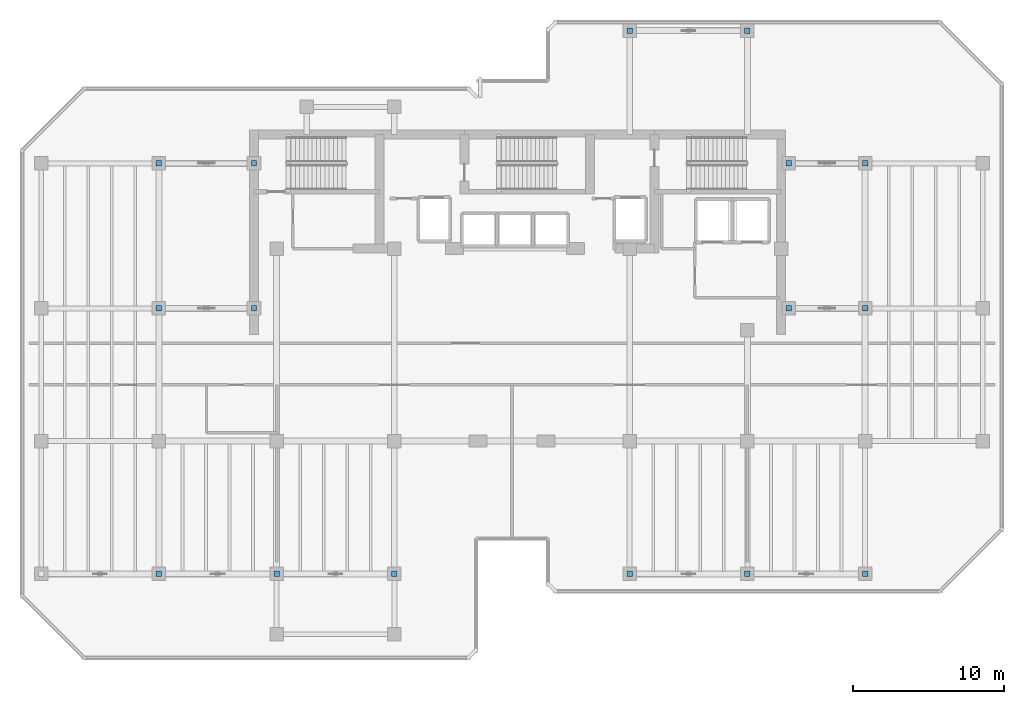
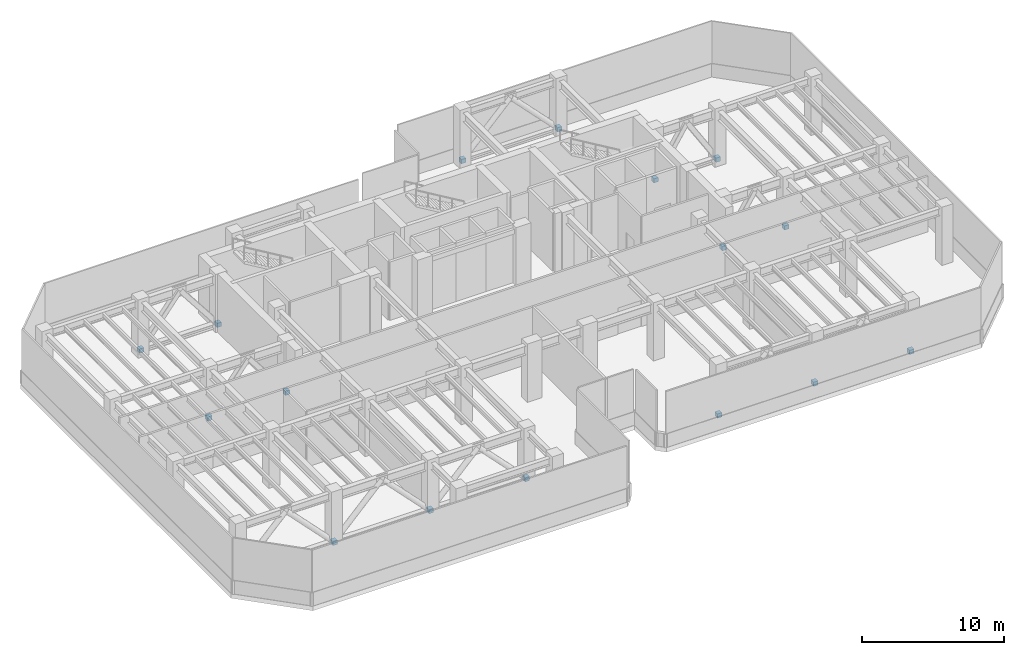
# One storey, part 5 of 9: 16 discrete accessories.
"""IFC4 building model written with IfcOpenShell, lengths in metres."""

from ifc_helpers import new_model, si_unit, direction, frame, origin, origin_2d, place, context, subcontext, project, spatial, rectangle, extrude, material, type_object, element, save


model = new_model("IFC4")

# Units and contexts
model_context = context("Model", 3, precision=1e-05, world=origin(), true_north=direction((0.0, 1.0)))
body_context = subcontext(model_context, "Body", "Model", "MODEL_VIEW")
ifc_project = project(units=[si_unit("LENGTHUNIT", "METRE"), si_unit("AREAUNIT", "SQUARE_METRE"), si_unit("VOLUMEUNIT", "CUBIC_METRE"), si_unit("PLANEANGLEUNIT", "RADIAN"), si_unit("MASSUNIT", "GRAM", prefix="KILO")], contexts=[model_context])

# Site, building, storey
site_placement = place(None, origin())
site = spatial("IfcSite", under=ifc_project, at=site_placement, CompositionType="ELEMENT")
building_placement = place(site_placement, origin())
building = spatial("IfcBuilding", under=site, at=building_placement, Name="Kestravale Grand Hotel", CompositionType="ELEMENT")
storey_placement = place(building_placement, frame((0.0, 0.0, 240.39990234375)))
storey = spatial("IfcBuildingStorey", under=building, at=storey_placement, Name="L60", CompositionType="ELEMENT", Elevation=240.39990234375)

# Discrete accessories
ifc_material = material(Name="Steel ASTM A572 Grade 50 hot-dip galvanised bracket", Category="steel")
discrete_accessory_type = type_object("IfcDiscreteAccessoryType", Name="ACC-BRK-STL", PredefinedType="BRACKET", material=ifc_material)
for number, where, z_axis, x_axis, name in (
    (1, (15.60009765625, 28.800048828125, 0.169921875), (0.0, 0.0, 1.0), (1.0, 0.0, 0.0), "L60 west outrigger column node E"),
    (2, (21.89990234375, 28.800048828125, 0.169921875), (0.0, 0.0, 1.0), (1.0, 0.0, 0.0), "L60 west outrigger core node E"),
    (3, (57.35009765625, 28.800048828125, 0.169921875), (0.0, 0.0, 1.0), (1.0, 0.0, 0.0), "L60 east outrigger core node E"),
    (4, (62.39990234375, 28.800048828125, 0.169921875), (0.0, 0.0, 1.0), (1.0, 0.0, 0.0), "L60 east outrigger column node E"),
    (5, (15.60009765625, 38.39990234375, 0.169921875), (0.0, 0.0, 1.0), (1.0, 0.0, 0.0), "L60 west outrigger column node F"),
    (6, (21.89990234375, 38.39990234375, 0.169921875), (0.0, 0.0, 1.0), (1.0, 0.0, 0.0), "L60 west outrigger core node F"),
    (7, (57.35009765625, 38.39990234375, 0.169921875), (0.0, 0.0, 1.0), (1.0, 0.0, 0.0), "L60 east outrigger core node F"),
    (8, (62.39990234375, 38.39990234375, 0.169921875), (0.0, 0.0, 1.0), (1.0, 0.0, 0.0), "L60 east outrigger column node F"),
    (9, (15.60009765625, 11.199951171875, 0.169921875), (0.0, 0.0, 1.0), (1.0, 0.0, 0.0), "L60 belt truss node bracket C-3"),
    (10, (23.39990234375, 11.199951171875, 0.169921875), (0.0, 0.0, 1.0), (1.0, 0.0, 0.0), "L60 belt truss node bracket C-4"),
    (11, (31.199951171875, 11.199951171875, 0.169921875), (0.0, 0.0, 1.0), (1.0, 0.0, 0.0), "L60 belt truss node bracket C-5"),
    (12, (46.800048828125, 11.199951171875, 0.169921875), (0.0, 0.0, 1.0), (1.0, 0.0, 0.0), "L60 belt truss node bracket C-8"),
    (13, (54.60009765625, 11.199951171875, 0.169921875), (0.0, 0.0, 1.0), (1.0, 0.0, 0.0), "L60 belt truss node bracket C-9"),
    (14, (62.39990234375, 11.199951171875, 0.169921875), (0.0, 0.0, 1.0), (1.0, 0.0, 0.0), "L60 belt truss node bracket C-10"),
    (15, (46.800048828125, 47.199951171875, 0.169921875), (0.0, 0.0, 1.0), (1.0, 0.0, 0.0), "L60 belt truss node bracket G-8"),
    (16, (54.60009765625, 47.199951171875, 0.169921875), (0.0, 0.0, 1.0), (1.0, 0.0, 0.0), "L60 belt truss node bracket G-9"),
):
    element("IfcDiscreteAccessory", number, at=place(storey_placement, frame(where, z_axis=z_axis, x_axis=x_axis)), inside=storey, type_object=discrete_accessory_type, Name=name, PredefinedType="BRACKET", context=body_context, shape_type="SweptSolid", body=[
        extrude(rectangle(XDim=0.360107421875, YDim=0.360107421875, at=origin_2d()), origin(), (0.0, 0.0, 1.0), 0.360107421875),
    ])

save(model, "model.ifc")
